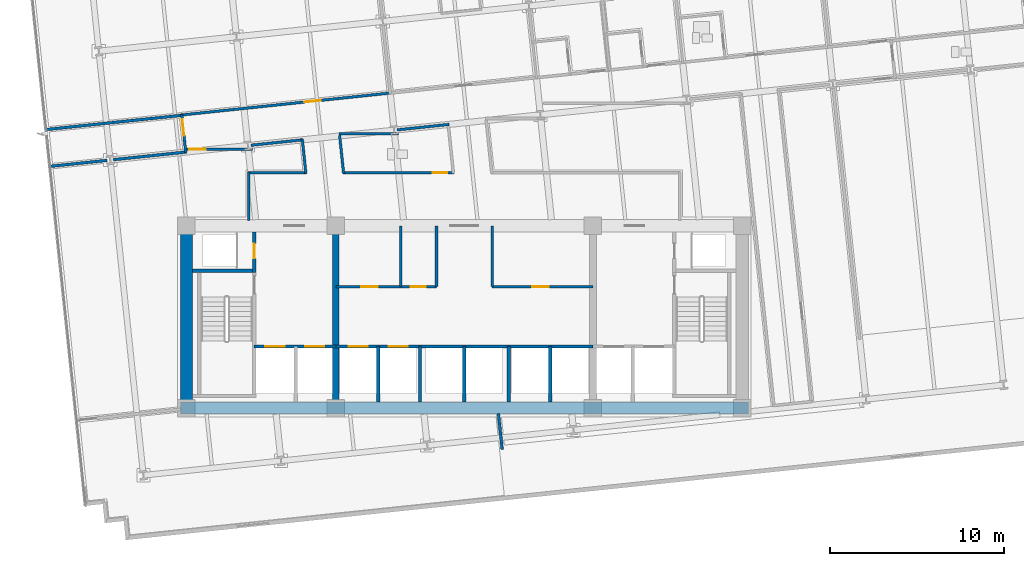
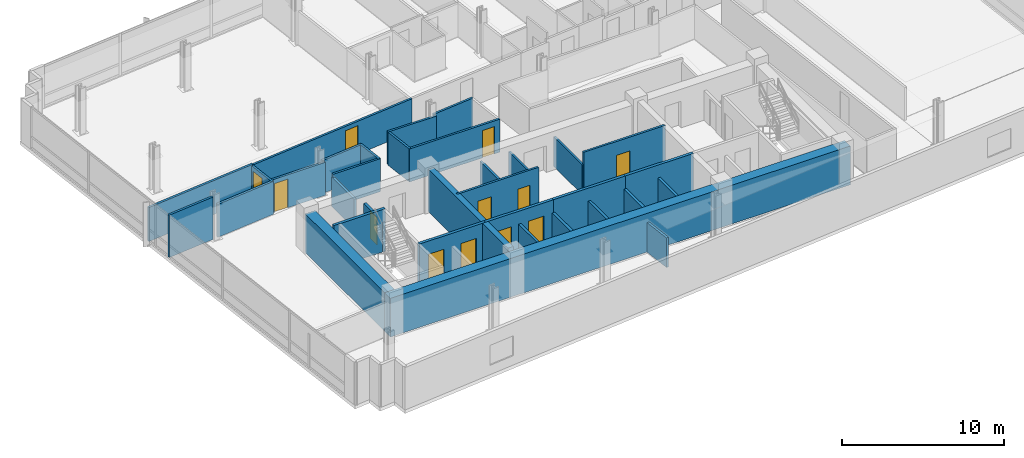
# One storey, part 10 of 17: 34 walls, 12 doors, 12 openings.
"""IFC4 building model written with IfcOpenShell, lengths in metres."""

from ifc_helpers import new_model, si_unit, direction, frame, frame_2d, origin, place, context, subcontext, project, spatial, rectangle, extrude, material, layer, layer_set, type_object, element, fill, save


model = new_model("IFC4")

# Units and contexts
model_context = context("Model", 3, precision=1e-05, world=origin(), true_north=direction((0.0, 1.0)))
body_context = subcontext(model_context, "Body", "Model", "MODEL_VIEW")
ifc_project = project(units=[si_unit("LENGTHUNIT", "METRE"), si_unit("AREAUNIT", "SQUARE_METRE"), si_unit("VOLUMEUNIT", "CUBIC_METRE"), si_unit("PLANEANGLEUNIT", "RADIAN"), si_unit("MASSUNIT", "GRAM", prefix="KILO")], contexts=[model_context])

# Site, building, storey
site_placement = place(None, origin())
site = spatial("IfcSite", under=ifc_project, at=site_placement, CompositionType="ELEMENT")
building_placement = place(site_placement, origin())
building = spatial("IfcBuilding", under=site, at=building_placement, Name="Solmavex Isthmus Hotel", CompositionType="ELEMENT")
storey_placement = place(building_placement, frame((0.0, 0.0, 93.89990234375)))
storey = spatial("IfcBuildingStorey", under=building, at=storey_placement, Name="L25", CompositionType="ELEMENT", Elevation=93.89990234375)

# Walls
ifc_material_1 = material(Name="Gypsum plasterboard lining", Category="gypsum")
ifc_layer_1 = layer(ifc_material_1, 0.159912109375)
ifc_layer_set_1 = layer_set([ifc_layer_1], Name="Gypsum plasterboard lining")
wall_type_1 = type_object("IfcWallType", Name="IW-COMP-160", PredefinedType="PARTITIONING", material=ifc_layer_set_1)
wall_1_placement = place(storey_placement, frame((-16.221923828125, 3.86474609375, 0.0), z_axis=(0.0, 0.0, 1.0), x_axis=(-0.994522987852, -0.104518068455, 0.0)))
element("IfcWall", 1, at=wall_1_placement, inside=storey, type_object=wall_type_1, Name="Interior Partition Wall W-L25-P037", PredefinedType="PARTITIONING", context=body_context, shape_type="SweptSolid", body=[
    extrude(rectangle(XDim=7.927978515625, YDim=0.159912109375, at=frame_2d((3.9638671875, 0.0))), origin(), (0.0, 0.0, 1.0), 2.55322265625),
])
wall_2_placement = place(storey_placement, frame((-20.558349609375, 1.267333984375, 0.0), z_axis=(0.0, 0.0, 1.0), x_axis=(-0.99451904707, -0.10455555946, 0.0)))
element("IfcWall", 2, at=wall_2_placement, inside=storey, type_object=wall_type_1, Name="Interior Partition Wall W-L25-P068", PredefinedType="PARTITIONING", context=body_context, shape_type="SweptSolid", body=[
    extrude(rectangle(XDim=3.34375, YDim=0.159912109375, at=frame_2d((1.671875, 0.0))), origin(), (0.0, 0.0, 1.0), 3.190185546875),
])
wall_3_placement = place(storey_placement, frame((-15.9892578125, 1.74755859375, 0.0), z_axis=(0.0, 0.0, 1.0), x_axis=(-0.994523098997, -0.104517010867, 0.0)))
element("IfcWall", 3, at=wall_3_placement, inside=storey, type_object=wall_type_1, Name="Interior Partition Wall W-L25-P069", PredefinedType="PARTITIONING", context=body_context, shape_type="SweptSolid", body=[
    extrude(rectangle(XDim=4.241943359375, YDim=0.159912109375, at=frame_2d((2.12109375, 0.0))), origin(), (0.0, 0.0, 1.0), 2.4794921875),
])
wall_4_placement = place(storey_placement, frame((1.965087890625, -13.310302734375, 0.0), z_axis=(0.0, 0.0, 1.0), x_axis=(0.104464822166, -0.994528582259, 0.0)))
element("IfcWall", 4, at=wall_4_placement, inside=storey, type_object=wall_type_1, Name="Interior Partition Wall W-L25-P071", PredefinedType="PARTITIONING", context=body_context, shape_type="SweptSolid", body=[
    extrude(rectangle(XDim=2.080078125, YDim=0.159912109375, at=frame_2d((1.0400390625, 0.0))), origin(), (0.0, 0.0, 1.0), 2.22509765625),
])

# Wall, openings, doors
ifc_layer_2 = layer(ifc_material_1, 0.14990234375)
ifc_layer_set_2 = layer_set([ifc_layer_2], Name="Gypsum plasterboard lining")
wall_type_2 = type_object("IfcWallType", Name="IW-CORR-150", PredefinedType="PARTITIONING", material=ifc_layer_set_2)
wall_5_placement = place(storey_placement, frame((-7.39990234375, -6.0, 0.0), z_axis=(0.0, 0.0, 1.0), x_axis=(1.0, 0.0, 0.0)))
wall_5 = element("IfcWall", 5, at=wall_5_placement, inside=storey, type_object=wall_type_2, Name="Interior Partition Wall W-L25-BOH-WS", PredefinedType="PARTITIONING", context=body_context, shape_type="SweptSolid", body=[
    extrude(rectangle(XDim=5.7998046875, YDim=0.14990234375, at=frame_2d((2.89990234375, 0.0))), origin(), (0.0, 0.0, 1.0), 3.190185546875),
])
opening_1_placement = place(wall_5_placement, frame((1.47509765625, 0.0, 0.0)))
opening_1 = element("IfcOpeningElement", 6, at=opening_1_placement, cuts=wall_5, Name="Opening ID-C095", PredefinedType="OPENING", context=body_context, shape_type="SweptSolid", body=[
    extrude(rectangle(XDim=0.949951171875, YDim=2.14990234375, at=frame_2d((0.47509765625, 1.074951171875))), frame((0.0, 0.0849609375, 0.0), z_axis=(0.0, -1.0, 0.0), x_axis=(1.0, 0.0, 0.0)), (0.0, 0.0, 1.0), 0.169921875),
])
opening_2_placement = place(wall_5_placement, frame((4.324951171875, 0.0, 0.0)))
opening_2 = element("IfcOpeningElement", 7, at=opening_2_placement, cuts=wall_5, Name="Opening ID-R085", PredefinedType="OPENING", context=body_context, shape_type="SweptSolid", body=[
    extrude(rectangle(XDim=0.85009765625, YDim=2.050048828125, at=frame_2d((0.425048828125, 1.02490234375))), frame((0.0, 0.0849609375, 0.0), z_axis=(0.0, -1.0, 0.0), x_axis=(1.0, 0.0, 0.0)), (0.0, 0.0, 1.0), 0.169921875),
])
ifc_material_2 = material(Name="Steel ASTM A500 Grade C", Category="steel")
door_type_1 = type_object("IfcDoorType", Name="IDR-FD60-0850", OperationType="NOTDEFINED", PredefinedType="DOOR", material=ifc_material_2)
door_1_placement = place(opening_2_placement, frame((0.85009765625, 0.0, 0.0), z_axis=(0.0, 0.0, 1.0), x_axis=(-1.0, 0.0, 0.0)))
door_1 = element("IfcDoor", 8, at=door_1_placement, inside=storey, type_object=door_type_1, Name="Cleaner Closet Door L25", OperationType="SINGLE_SWING_RIGHT", OverallHeight=2.050048828125, OverallWidth=0.85009765625, PredefinedType="DOOR", context=body_context, shape_type="SweptSolid", body=[
    extrude(rectangle(XDim=0.85009765625, YDim=2.050048828125, at=frame_2d((0.425048828125, 1.02490234375))), frame((0.0, 0.02490234375, 0.0), z_axis=(0.0, -1.0, 0.0), x_axis=(1.0, 0.0, 0.0)), (0.0, 0.0, 1.0), 0.050048828125),
])
fill(opening_2, door_1)
ifc_material_3 = material(Name="Hardwood timber", Category="wood")
door_type_2 = type_object("IfcDoorType", Name="IDR-FD60-0950", OperationType="NOTDEFINED", PredefinedType="DOOR", material=ifc_material_3)
door_2_placement = place(opening_1_placement, frame((0.949951171875, 0.0, 0.0), z_axis=(0.0, 0.0, 1.0), x_axis=(-1.0, 0.0, 0.0)))
door_2 = element("IfcDoor", 9, at=door_2_placement, inside=storey, type_object=door_type_2, Name="Housekeeping Store Door L25", OperationType="SINGLE_SWING_LEFT", OverallHeight=2.14990234375, OverallWidth=0.949951171875, PredefinedType="DOOR", context=body_context, shape_type="SweptSolid", body=[
    extrude(rectangle(XDim=0.949951171875, YDim=2.14990234375, at=frame_2d((0.47509765625, 1.074951171875))), frame((0.0, 0.02490234375, 0.0), z_axis=(0.0, -1.0, 0.0), x_axis=(1.0, 0.0, 0.0)), (0.0, 0.0, 1.0), 0.050048828125),
])
fill(opening_1, door_2)

# Wall
wall_6_placement = place(storey_placement, frame((-1.60009765625, -6.0, 0.0), z_axis=(0.0, 0.0, 1.0), x_axis=(0.0, 1.0, 0.0)))
element("IfcWall", 10, at=wall_6_placement, inside=storey, type_object=wall_type_2, Name="Interior Partition Wall W-L25-BOH-WE", PredefinedType="PARTITIONING", context=body_context, shape_type="SweptSolid", body=[
    extrude(rectangle(XDim=3.5, YDim=0.14990234375, at=frame_2d((1.75, 0.0))), origin(), (0.0, 0.0, 1.0), 2.22509765625),
])

# Wall, opening, door
wall_7_placement = place(storey_placement, frame((1.60009765625, -6.0, 0.0), z_axis=(0.0, 0.0, 1.0), x_axis=(1.0, 0.0, 0.0)))
wall_7 = element("IfcWall", 11, at=wall_7_placement, inside=storey, type_object=wall_type_2, Name="Interior Partition Wall W-L25-BOH-ES", PredefinedType="PARTITIONING", context=body_context, shape_type="SweptSolid", body=[
    extrude(rectangle(XDim=5.7998046875, YDim=0.14990234375, at=frame_2d((2.89990234375, 0.0))), origin(), (0.0, 0.0, 1.0), 3.190185546875),
])
opening_3_placement = place(wall_7_placement, frame((2.324951171875, 0.0, 0.0)))
opening_3 = element("IfcOpeningElement", 12, at=opening_3_placement, cuts=wall_7, Name="Opening ID-C095", PredefinedType="OPENING", context=body_context, shape_type="SweptSolid", body=[
    extrude(rectangle(XDim=0.949951171875, YDim=2.14990234375, at=frame_2d((0.47509765625, 1.074951171875))), frame((0.0, 0.0849609375, 0.0), z_axis=(0.0, -1.0, 0.0), x_axis=(1.0, 0.0, 0.0)), (0.0, 0.0, 1.0), 0.169921875),
])
door_3_placement = place(opening_3_placement, frame((0.949951171875, 0.0, 0.0), z_axis=(0.0, 0.0, 1.0), x_axis=(-1.0, 0.0, 0.0)))
door_3 = element("IfcDoor", 13, at=door_3_placement, inside=storey, type_object=door_type_2, Name="Butler Pantry Door L25", OperationType="SINGLE_SWING_RIGHT", OverallHeight=2.14990234375, OverallWidth=0.949951171875, PredefinedType="DOOR", context=body_context, shape_type="SweptSolid", body=[
    extrude(rectangle(XDim=0.949951171875, YDim=2.14990234375, at=frame_2d((0.47509765625, 1.074951171875))), frame((0.0, 0.02490234375, 0.0), z_axis=(0.0, -1.0, 0.0), x_axis=(1.0, 0.0, 0.0)), (0.0, 0.0, 1.0), 0.050048828125),
])
fill(opening_3, door_3)

# Wall
wall_8_placement = place(storey_placement, frame((1.60009765625, -6.0, 0.0), z_axis=(0.0, 0.0, 1.0), x_axis=(0.0, 1.0, 0.0)))
element("IfcWall", 14, at=wall_8_placement, inside=storey, type_object=wall_type_2, Name="Interior Partition Wall W-L25-BOH-EW", PredefinedType="PARTITIONING", context=body_context, shape_type="SweptSolid", body=[
    extrude(rectangle(XDim=3.5, YDim=0.14990234375, at=frame_2d((1.75, 0.0))), origin(), (0.0, 0.0, 1.0), 2.22509765625),
])

# Wall, opening, door
wall_9_placement = place(storey_placement, frame((-16.303466796875, 3.87646484375, 0.0), z_axis=(0.0, 0.0, 1.0), x_axis=(0.994522343224, 0.104524202122, 0.0)))
wall_9 = element("IfcWall", 15, at=wall_9_placement, inside=storey, type_object=wall_type_2, Name="Interior Partition Wall W-L25-P001", PredefinedType="PARTITIONING", context=body_context, shape_type="SweptSolid", body=[
    extrude(rectangle(XDim=12.187744140625, YDim=0.14990234375, at=frame_2d((6.09375, 0.0))), origin(), (0.0, 0.0, 1.0), 2.4794921875),
])
opening_4_placement = place(wall_9_placement, frame((7.14453125, 0.0, 0.0)))
opening_4 = element("IfcOpeningElement", 16, at=opening_4_placement, cuts=wall_9, Name="Opening ID-C095", PredefinedType="OPENING", context=body_context, shape_type="SweptSolid", body=[
    extrude(rectangle(XDim=0.949951171875, YDim=2.14990234375, at=frame_2d((0.47509765625, 1.074951171875))), frame((0.0, 0.0849609375, 0.0), z_axis=(0.0, -1.0, 0.0), x_axis=(1.0, 0.0, 0.0)), (0.0, 0.0, 1.0), 0.169921875),
])
door_4_placement = place(opening_4_placement, origin())
door_4 = element("IfcDoor", 17, at=door_4_placement, inside=storey, type_object=door_type_2, Name="Corporate Briefing Office Door L25-01", OperationType="SINGLE_SWING_LEFT", OverallHeight=2.14990234375, OverallWidth=0.949951171875, PredefinedType="DOOR", context=body_context, shape_type="SweptSolid", body=[
    extrude(rectangle(XDim=0.949951171875, YDim=2.14990234375, at=frame_2d((0.47509765625, 1.074951171875))), frame((0.0, 0.02490234375, 0.0), z_axis=(0.0, -1.0, 0.0), x_axis=(1.0, 0.0, 0.0)), (0.0, 0.0, 1.0), 0.050048828125),
])
fill(opening_4, door_4)

# Walls
wall_10_placement = place(storey_placement, frame((-3.7841796875, 2.78857421875, 0.0), z_axis=(0.0, 0.0, 1.0), x_axis=(-1.0, 0.0, 0.0)))
element("IfcWall", 18, at=wall_10_placement, inside=storey, type_object=wall_type_2, Name="Interior Partition Wall W-L25-P010", PredefinedType="PARTITIONING", context=body_context, shape_type="SweptSolid", body=[
    extrude(rectangle(XDim=3.430419921875, YDim=0.14990234375, at=frame_2d((1.71533203125, 0.0))), origin(), (0.0, 0.0, 1.0), 2.4794921875),
])
wall_11_placement = place(storey_placement, frame((-7.178955078125, 2.7138671875, 0.0), z_axis=(0.0, 0.0, 1.0), x_axis=(0.104455355485, -0.994529576589, 0.0)))
element("IfcWall", 19, at=wall_11_placement, inside=storey, type_object=wall_type_2, Name="Interior Partition Wall W-L25-P011", PredefinedType="PARTITIONING", context=body_context, shape_type="SweptSolid", body=[
    extrude(rectangle(XDim=2.2158203125, YDim=0.14990234375, at=frame_2d((1.10791015625, 0.0))), origin(), (0.0, 0.0, 1.0), 2.4794921875),
])

# Wall, opening, door
wall_12_placement = place(storey_placement, frame((-6.99169921875, 0.550048828125, 0.0), z_axis=(0.0, 0.0, 1.0), x_axis=(1.0, 0.0, 0.0)))
wall_12 = element("IfcWall", 20, at=wall_12_placement, inside=storey, type_object=wall_type_2, Name="Interior Partition Wall W-L25-P012", PredefinedType="PARTITIONING", context=body_context, shape_type="SweptSolid", body=[
    extrude(rectangle(XDim=6.400634765625, YDim=0.14990234375, at=frame_2d((3.2001953125, 0.0))), origin(), (0.0, 0.0, 1.0), 2.4794921875),
])
opening_5_placement = place(wall_12_placement, frame((5.16455078125, 0.0, 0.0)))
opening_5 = element("IfcOpeningElement", 21, at=opening_5_placement, cuts=wall_12, Name="Opening ID-R085", PredefinedType="OPENING", context=body_context, shape_type="SweptSolid", body=[
    extrude(rectangle(XDim=0.85009765625, YDim=2.050048828125, at=frame_2d((0.425048828125, 1.02490234375))), frame((0.0, 0.0849609375, 0.0), z_axis=(0.0, -1.0, 0.0), x_axis=(1.0, 0.0, 0.0)), (0.0, 0.0, 1.0), 0.169921875),
])
door_5_placement = place(opening_5_placement, frame((0.85009765625, 0.0, 0.0), z_axis=(0.0, 0.0, 1.0), x_axis=(-1.0, 0.0, 0.0)))
door_5 = element("IfcDoor", 22, at=door_5_placement, inside=storey, type_object=door_type_1, Name="Accessible Public Restroom WC Door L25-13", OperationType="SINGLE_SWING_LEFT", OverallHeight=2.050048828125, OverallWidth=0.85009765625, PredefinedType="DOOR", context=body_context, shape_type="SweptSolid", body=[
    extrude(rectangle(XDim=0.85009765625, YDim=2.050048828125, at=frame_2d((0.425048828125, 1.02490234375))), frame((0.0, 0.02490234375, 0.0), z_axis=(0.0, -1.0, 0.0), x_axis=(1.0, 0.0, 0.0)), (0.0, 0.0, 1.0), 0.050048828125),
])
fill(opening_5, door_5)

# Wall
wall_13_placement = place(storey_placement, frame((-0.883544921875, 3.335205078125, 0.0), z_axis=(0.0, 0.0, 1.0), x_axis=(-0.994522848096, -0.104519398272, 0.0)))
element("IfcWall", 23, at=wall_13_placement, inside=storey, type_object=wall_type_2, Name="Interior Partition Wall W-L25-P014", PredefinedType="PARTITIONING", context=body_context, shape_type="SweptSolid", body=[
    extrude(rectangle(XDim=2.996826171875, YDim=0.14990234375, at=frame_2d((1.49853515625, 0.0))), origin(), (0.0, 0.0, 1.0), 2.4794921875),
])

# Wall, opening, door
wall_14_placement = place(storey_placement, frame((-16.034912109375, 1.70263671875, 0.0), z_axis=(0.0, 0.0, 1.0), x_axis=(-0.104512255544, 0.994523598735, 0.0)))
wall_14 = element("IfcWall", 24, at=wall_14_placement, inside=storey, type_object=wall_type_2, Name="Interior Partition Wall W-L25-P016", PredefinedType="PARTITIONING", context=body_context, shape_type="SweptSolid", body=[
    extrude(rectangle(XDim=2.2099609375, YDim=0.14990234375, at=frame_2d((1.10498046875, 0.0))), origin(), (0.0, 0.0, 1.0), 2.4794921875),
])
opening_6_placement = place(wall_14_placement, frame((0.98779296875, 0.0, 0.0)))
opening_6 = element("IfcOpeningElement", 25, at=opening_6_placement, cuts=wall_14, Name="Opening ID-C095", PredefinedType="OPENING", context=body_context, shape_type="SweptSolid", body=[
    extrude(rectangle(XDim=0.949951171875, YDim=2.14990234375, at=frame_2d((0.47509765625, 1.074951171875))), frame((0.0, 0.0849609375, 0.0), z_axis=(0.0, -1.0, 0.0), x_axis=(1.0, 0.0, 0.0)), (0.0, 0.0, 1.0), 0.169921875),
])
door_6_placement = place(opening_6_placement, origin())
door_6 = element("IfcDoor", 26, at=door_6_placement, inside=storey, type_object=door_type_2, Name="Catering Servery Kitchen Door L25-15", OperationType="SINGLE_SWING_LEFT", OverallHeight=2.14990234375, OverallWidth=0.949951171875, PredefinedType="DOOR", context=body_context, shape_type="SweptSolid", body=[
    extrude(rectangle(XDim=0.949951171875, YDim=2.14990234375, at=frame_2d((0.47509765625, 1.074951171875))), frame((0.0, 0.02490234375, 0.0), z_axis=(0.0, -1.0, 0.0), x_axis=(1.0, 0.0, 0.0)), (0.0, 0.0, 1.0), 0.050048828125),
])
fill(opening_6, door_6)

# Walls
wall_15_placement = place(storey_placement, frame((-12.39990234375, -2.18994140625, 0.0), z_axis=(0.0, 0.0, 1.0), x_axis=(0.0, 1.0, 0.0)))
element("IfcWall", 27, at=wall_15_placement, inside=storey, type_object=wall_type_2, Name="Interior Partition Wall W-L25-P017", PredefinedType="PARTITIONING", context=body_context, shape_type="SweptSolid", body=[
    extrude(rectangle(XDim=2.780029296875, YDim=0.14990234375, at=frame_2d((1.39013671875, 0.0))), origin(), (0.0, 0.0, 1.0), 2.22509765625),
])
wall_16_placement = place(storey_placement, frame((-12.43994140625, 0.550048828125, 0.0), z_axis=(0.0, 0.0, 1.0), x_axis=(1.0, 0.0, 0.0)))
element("IfcWall", 28, at=wall_16_placement, inside=storey, type_object=wall_type_2, Name="Interior Partition Wall W-L25-P018", PredefinedType="PARTITIONING", context=body_context, shape_type="SweptSolid", body=[
    extrude(rectangle(XDim=3.3564453125, YDim=0.14990234375, at=frame_2d((1.67822265625, 0.0))), origin(), (0.0, 0.0, 1.0), 2.4794921875),
])
wall_17_placement = place(storey_placement, frame((-9.119384765625, 0.51025390625, 0.0), z_axis=(0.0, 0.0, 1.0), x_axis=(-0.104473893665, 0.994527629351, 0.0)))
element("IfcWall", 29, at=wall_17_placement, inside=storey, type_object=wall_type_2, Name="Interior Partition Wall W-L25-P019", PredefinedType="PARTITIONING", context=body_context, shape_type="SweptSolid", body=[
    extrude(rectangle(XDim=1.98876953125, YDim=0.14990234375, at=frame_2d((0.994384765625, 0.0))), origin(), (0.0, 0.0, 1.0), 2.4794921875),
])
wall_18_placement = place(storey_placement, frame((-9.283203125, 2.452392578125, 0.0), z_axis=(0.0, 0.0, 1.0), x_axis=(-0.994518748051, -0.104558403652, 0.0)))
element("IfcWall", 30, at=wall_18_placement, inside=storey, type_object=wall_type_2, Name="Interior Partition Wall W-L25-P020", PredefinedType="PARTITIONING", context=body_context, shape_type="SweptSolid", body=[
    extrude(rectangle(XDim=3.016845703125, YDim=0.14990234375, at=frame_2d((1.50830078125, 0.0))), origin(), (0.0, 0.0, 1.0), 2.4794921875),
])

# Wall, opening, door
wall_19_placement = place(storey_placement, frame((-12.203857421875, 1.903564453125, 0.0), z_axis=(0.0, 0.0, 1.0), x_axis=(-1.0, 0.0, 0.0)))
wall_19 = element("IfcWall", 31, at=wall_19_placement, inside=storey, type_object=wall_type_2, Name="Interior Partition Wall W-L25-P021", PredefinedType="PARTITIONING", context=body_context, shape_type="SweptSolid", body=[
    extrude(rectangle(XDim=3.875, YDim=0.14990234375, at=frame_2d((1.9375, 0.0))), origin(), (0.0, 0.0, 1.0), 2.4794921875),
])
opening_7_placement = place(wall_19_placement, frame((2.6669921875, 0.0, 0.0)))
opening_7 = element("IfcOpeningElement", 32, at=opening_7_placement, cuts=wall_19, Name="Opening ID-C095", PredefinedType="OPENING", context=body_context, shape_type="SweptSolid", body=[
    extrude(rectangle(XDim=0.949951171875, YDim=2.14990234375, at=frame_2d((0.47509765625, 1.074951171875))), frame((0.0, 0.0849609375, 0.0), z_axis=(0.0, -1.0, 0.0), x_axis=(1.0, 0.0, 0.0)), (0.0, 0.0, 1.0), 0.169921875),
])
door_7_placement = place(opening_7_placement, origin())
door_7 = element("IfcDoor", 33, at=door_7_placement, inside=storey, type_object=door_type_2, Name="VIP Briefing Office Door L25-16", OperationType="SINGLE_SWING_RIGHT", OverallHeight=2.14990234375, OverallWidth=0.949951171875, PredefinedType="DOOR", context=body_context, shape_type="SweptSolid", body=[
    extrude(rectangle(XDim=0.949951171875, YDim=2.14990234375, at=frame_2d((0.47509765625, 1.074951171875))), frame((0.0, 0.02490234375, 0.0), z_axis=(0.0, -1.0, 0.0), x_axis=(1.0, 0.0, 0.0)), (0.0, 0.0, 1.0), 0.050048828125),
])
fill(opening_7, door_7)

# Walls
ifc_layer_3 = layer(ifc_material_1, 0.1201171875)
ifc_layer_set_3 = layer_set([ifc_layer_3], Name="Gypsum plasterboard lining")
wall_type_3 = type_object("IfcWallType", Name="IW-PART-120", PredefinedType="PARTITIONING", material=ifc_layer_set_3)
wall_20_placement = place(storey_placement, frame((-3.64990234375, -6.0, 0.0), z_axis=(0.0, 0.0, 1.0), x_axis=(0.0, 1.0, 0.0)))
element("IfcWall", 34, at=wall_20_placement, inside=storey, type_object=wall_type_3, Name="Interior Partition Wall W-L25-BOH-WM1", PredefinedType="PARTITIONING", context=body_context, shape_type="SweptSolid", body=[
    extrude(rectangle(XDim=3.5, YDim=0.14990234375, at=frame_2d((1.75, 0.0))), origin(), (0.0, 0.0, 1.0), 2.22509765625),
])
ifc_material_4 = material(Name="Concrete C40/50", Category="concrete")
ifc_layer_4 = layer(ifc_material_4, 0.179931640625)
ifc_layer_set_4 = layer_set([ifc_layer_4], Name="Concrete C40/50")
wall_type_4 = type_object("IfcWallType", Name="IW-SHAFT-180", PredefinedType="PARTITIONING", material=ifc_layer_set_4)
for number, where, z_axis, x_axis, name in (
    (35, (-4.949951171875, -12.64990234375, 0.0), (0.0, 0.0, 1.0), (0.0, 1.0, 0.0), "Interior Partition Wall W-L25-SH-PLL-M"),
    (36, (0.0, -12.64990234375, 0.0), (0.0, 0.0, 1.0), (0.0, 1.0, 0.0), "Interior Partition Wall W-L25-SH-PLM-M"),
    (37, (4.949951171875, -12.64990234375, 0.0), (0.0, 0.0, 1.0), (0.0, 1.0, 0.0), "Interior Partition Wall W-L25-SH-PLH-M"),
):
    element("IfcWall", number, at=place(storey_placement, frame(where, z_axis=z_axis, x_axis=x_axis)), inside=storey, type_object=wall_type_4, Name=name, PredefinedType="PARTITIONING", context=body_context, shape_type="SweptSolid", body=[
        extrude(rectangle(XDim=3.199951171875, YDim=0.179931640625, at=frame_2d((1.60009765625, 0.0))), origin(), (0.0, 0.0, 1.0), 2.22509765625),
    ])

# Wall, opening, door
ifc_layer_5 = layer(ifc_material_4, 0.199951171875)
ifc_layer_set_5 = layer_set([ifc_layer_5], Name="Concrete C40/50")
wall_type_5 = type_object("IfcWallType", Name="IW-SHAFT-200", PredefinedType="PARTITIONING", material=ifc_layer_set_5)
wall_21_placement = place(storey_placement, frame((-12.10009765625, -5.199951171875, 0.0), z_axis=(0.0, 0.0, 1.0), x_axis=(0.0, 1.0, 0.0)))
wall_21 = element("IfcWall", 38, at=wall_21_placement, inside=storey, type_object=wall_type_5, Name="Interior Partition Wall W-L25-RSW-E", PredefinedType="PARTITIONING", context=body_context, shape_type="SweptSolid", body=[
    extrude(rectangle(XDim=2.349853515625, YDim=0.199951171875, at=frame_2d((1.1748046875, 0.0))), origin(), (0.0, 0.0, 1.0), 2.22509765625),
])
opening_8_placement = place(wall_21_placement, frame((0.824951171875, 0.0, 0.0)))
opening_8 = element("IfcOpeningElement", 39, at=opening_8_placement, cuts=wall_21, Name="Opening ID-R085", PredefinedType="OPENING", context=body_context, shape_type="SweptSolid", body=[
    extrude(rectangle(XDim=0.85009765625, YDim=2.050048828125, at=frame_2d((0.425048828125, 1.02490234375))), frame((0.0, 0.10986328125, 0.0), z_axis=(0.0, -1.0, 0.0), x_axis=(1.0, 0.0, 0.0)), (0.0, 0.0, 1.0), 0.219970703125),
])
door_8_placement = place(opening_8_placement, origin())
door_8 = element("IfcDoor", 40, at=door_8_placement, inside=storey, type_object=door_type_1, Name="Electrical Riser Door L25", OperationType="SINGLE_SWING_RIGHT", OverallHeight=2.050048828125, OverallWidth=0.85009765625, PredefinedType="DOOR", context=body_context, shape_type="SweptSolid", body=[
    extrude(rectangle(XDim=0.85009765625, YDim=2.050048828125, at=frame_2d((0.425048828125, 1.02490234375))), frame((0.0, 0.02490234375, 0.0), z_axis=(0.0, -1.0, 0.0), x_axis=(1.0, 0.0, 0.0)), (0.0, 0.0, 1.0), 0.050048828125),
])
fill(opening_8, door_8)

# Wall, openings, doors
wall_22_placement = place(storey_placement, frame((-12.10009765625, -9.449951171875, 0.0), z_axis=(0.0, 0.0, 1.0), x_axis=(1.0, 0.0, 0.0)))
wall_22 = element("IfcWall", 41, at=wall_22_placement, inside=storey, type_object=wall_type_5, Name="Interior Partition Wall W-L25-FFLW-S", PredefinedType="PARTITIONING", context=body_context, shape_type="SweptSolid", body=[
    extrude(rectangle(XDim=4.7001953125, YDim=0.199951171875, at=frame_2d((2.35009765625, 0.0))), origin(), (0.0, 0.0, 1.0), 3.190185546875),
])
opening_9_placement = place(wall_22_placement, frame((0.64990234375, 0.0, 0.0)))
opening_9 = element("IfcOpeningElement", 42, at=opening_9_placement, cuts=wall_22, Name="Opening LD-FF", PredefinedType="OPENING", context=body_context, shape_type="SweptSolid", body=[
    extrude(rectangle(XDim=1.10009765625, YDim=2.199951171875, at=frame_2d((0.550048828125, 1.10009765625))), frame((0.0, 0.10986328125, 0.0), z_axis=(0.0, -1.0, 0.0), x_axis=(1.0, 0.0, 0.0)), (0.0, 0.0, 1.0), 0.219970703125),
])
opening_10_placement = place(wall_22_placement, frame((2.949951171875, 0.0, 0.0)))
opening_10 = element("IfcOpeningElement", 43, at=opening_10_placement, cuts=wall_22, Name="Opening LD-SV", PredefinedType="OPENING", context=body_context, shape_type="SweptSolid", body=[
    extrude(rectangle(XDim=1.10009765625, YDim=2.199951171875, at=frame_2d((0.550048828125, 1.10009765625))), frame((0.0, 0.10986328125, 0.0), z_axis=(0.0, -1.0, 0.0), x_axis=(1.0, 0.0, 0.0)), (0.0, 0.0, 1.0), 0.219970703125),
])
ifc_material_5 = material(Name="Stainless steel 316", Category="steel")
door_type_3 = type_object("IfcDoorType", Name="LDR-FF-1100", OperationType="NOTDEFINED", PredefinedType="DOOR", material=ifc_material_5)
door_9_placement = place(opening_9_placement, origin())
door_9 = element("IfcDoor", 44, at=door_9_placement, inside=storey, type_object=door_type_3, Name="Lift Landing Door FFL-1 L25", OperationType="SLIDING_TO_LEFT", OverallHeight=2.199951171875, OverallWidth=1.10009765625, PredefinedType="DOOR", context=body_context, shape_type="SweptSolid", body=[
    extrude(rectangle(XDim=1.10009765625, YDim=2.199951171875, at=frame_2d((0.550048828125, 1.10009765625))), frame((0.0, 0.02490234375, 0.0), z_axis=(0.0, -1.0, 0.0), x_axis=(1.0, 0.0, 0.0)), (0.0, 0.0, 1.0), 0.050048828125),
])
fill(opening_9, door_9)
door_type_4 = type_object("IfcDoorType", Name="LDR-SV-1100", OperationType="NOTDEFINED", PredefinedType="DOOR", material=ifc_material_5)
door_10_placement = place(opening_10_placement, origin())
door_10 = element("IfcDoor", 45, at=door_10_placement, inside=storey, type_object=door_type_4, Name="Lift Landing Door SVL-1 L25", OperationType="SLIDING_TO_RIGHT", OverallHeight=2.199951171875, OverallWidth=1.10009765625, PredefinedType="DOOR", context=body_context, shape_type="SweptSolid", body=[
    extrude(rectangle(XDim=1.10009765625, YDim=2.199951171875, at=frame_2d((0.550048828125, 1.10009765625))), frame((0.0, 0.02490234375, 0.0), z_axis=(0.0, -1.0, 0.0), x_axis=(1.0, 0.0, 0.0)), (0.0, 0.0, 1.0), 0.050048828125),
])
fill(opening_10, door_10)

wall_23_placement = place(storey_placement, frame((-7.39990234375, -9.449951171875, 0.0), z_axis=(0.0, 0.0, 1.0), x_axis=(1.0, 0.0, 0.0)))
wall_23 = element("IfcWall", 46, at=wall_23_placement, inside=storey, type_object=wall_type_5, Name="Interior Partition Wall W-L25-SH-PLL", PredefinedType="PARTITIONING", context=body_context, shape_type="SweptSolid", body=[
    extrude(rectangle(XDim=4.849853515625, YDim=0.199951171875, at=frame_2d((2.4248046875, 0.0))), origin(), (0.0, 0.0, 1.0), 3.190185546875),
])
opening_11_placement = place(wall_23_placement, frame((0.75, 0.0, 0.0)))
opening_11 = element("IfcOpeningElement", 47, at=opening_11_placement, cuts=wall_23, Name="Opening LD-PL", PredefinedType="OPENING", context=body_context, shape_type="SweptSolid", body=[
    extrude(rectangle(XDim=1.10009765625, YDim=2.199951171875, at=frame_2d((0.550048828125, 1.10009765625))), frame((0.0, 0.10986328125, 0.0), z_axis=(0.0, -1.0, 0.0), x_axis=(1.0, 0.0, 0.0)), (0.0, 0.0, 1.0), 0.219970703125),
])
opening_12_placement = place(wall_23_placement, frame((3.050048828125, 0.0, 0.0)))
opening_12 = element("IfcOpeningElement", 48, at=opening_12_placement, cuts=wall_23, Name="Opening LD-PL", PredefinedType="OPENING", context=body_context, shape_type="SweptSolid", body=[
    extrude(rectangle(XDim=1.10009765625, YDim=2.199951171875, at=frame_2d((0.550048828125, 1.10009765625))), frame((0.0, 0.10986328125, 0.0), z_axis=(0.0, -1.0, 0.0), x_axis=(1.0, 0.0, 0.0)), (0.0, 0.0, 1.0), 0.219970703125),
])
door_type_5 = type_object("IfcDoorType", Name="LDR-PL-1100", OperationType="NOTDEFINED", PredefinedType="DOOR", material=ifc_material_5)
door_11_placement = place(opening_11_placement, origin())
door_11 = element("IfcDoor", 49, at=door_11_placement, inside=storey, type_object=door_type_5, Name="Lift Landing Door PLL1 L25", OperationType="SLIDING_TO_LEFT", OverallHeight=2.199951171875, OverallWidth=1.10009765625, PredefinedType="DOOR", context=body_context, shape_type="SweptSolid", body=[
    extrude(rectangle(XDim=1.10009765625, YDim=2.199951171875, at=frame_2d((0.550048828125, 1.10009765625))), frame((0.0, 0.02490234375, 0.0), z_axis=(0.0, -1.0, 0.0), x_axis=(1.0, 0.0, 0.0)), (0.0, 0.0, 1.0), 0.050048828125),
])
fill(opening_11, door_11)
door_12_placement = place(opening_12_placement, origin())
door_12 = element("IfcDoor", 50, at=door_12_placement, inside=storey, type_object=door_type_5, Name="Lift Landing Door PLL2 L25", OperationType="SLIDING_TO_LEFT", OverallHeight=2.199951171875, OverallWidth=1.10009765625, PredefinedType="DOOR", context=body_context, shape_type="SweptSolid", body=[
    extrude(rectangle(XDim=1.10009765625, YDim=2.199951171875, at=frame_2d((0.550048828125, 1.10009765625))), frame((0.0, 0.02490234375, 0.0), z_axis=(0.0, -1.0, 0.0), x_axis=(1.0, 0.0, 0.0)), (0.0, 0.0, 1.0), 0.050048828125),
])
fill(opening_12, door_12)

# Walls
wall_24_placement = place(storey_placement, frame((-2.550048828125, -12.64990234375, 0.0), z_axis=(0.0, 0.0, 1.0), x_axis=(0.0, 1.0, 0.0)))
element("IfcWall", 51, at=wall_24_placement, inside=storey, type_object=wall_type_5, Name="Interior Partition Wall W-L25-SH-PLL-E", PredefinedType="PARTITIONING", context=body_context, shape_type="SweptSolid", body=[
    extrude(rectangle(XDim=3.199951171875, YDim=0.199951171875, at=frame_2d((1.60009765625, 0.0))), origin(), (0.0, 0.0, 1.0), 2.22509765625),
])
wall_25_placement = place(storey_placement, frame((-2.550048828125, -9.449951171875, 0.0), z_axis=(0.0, 0.0, 1.0), x_axis=(1.0, 0.0, 0.0)))
element("IfcWall", 52, at=wall_25_placement, inside=storey, type_object=wall_type_5, Name="Interior Partition Wall W-L25-SH-PLM", PredefinedType="PARTITIONING", context=body_context, shape_type="SweptSolid", body=[
    extrude(rectangle(XDim=5.10009765625, YDim=0.199951171875, at=frame_2d((2.550048828125, 0.0))), origin(), (0.0, 0.0, 1.0), 3.190185546875),
])
wall_26_placement = place(storey_placement, frame((2.550048828125, -12.64990234375, 0.0), z_axis=(0.0, 0.0, 1.0), x_axis=(0.0, 1.0, 0.0)))
element("IfcWall", 53, at=wall_26_placement, inside=storey, type_object=wall_type_5, Name="Interior Partition Wall W-L25-SH-PLM-E", PredefinedType="PARTITIONING", context=body_context, shape_type="SweptSolid", body=[
    extrude(rectangle(XDim=3.199951171875, YDim=0.199951171875, at=frame_2d((1.60009765625, 0.0))), origin(), (0.0, 0.0, 1.0), 2.22509765625),
])
wall_27_placement = place(storey_placement, frame((2.550048828125, -9.449951171875, 0.0), z_axis=(0.0, 0.0, 1.0), x_axis=(1.0, 0.0, 0.0)))
element("IfcWall", 54, at=wall_27_placement, inside=storey, type_object=wall_type_5, Name="Interior Partition Wall W-L25-SH-PLH", PredefinedType="PARTITIONING", context=body_context, shape_type="SweptSolid", body=[
    extrude(rectangle(XDim=4.849853515625, YDim=0.199951171875, at=frame_2d((2.4248046875, 0.0))), origin(), (0.0, 0.0, 1.0), 3.190185546875),
])
ifc_material_6 = material(Name="Concrete C60/75", Category="concrete")
ifc_layer_6 = layer(ifc_material_6, 0.39990234375)
ifc_layer_set_6 = layer_set([ifc_layer_6], Name="Concrete C60/75")
wall_type_6 = type_object("IfcWallType", Name="WALL-CW-400M", PredefinedType="SHEAR", material=ifc_layer_set_6)
wall_28_placement = place(storey_placement, frame((-7.39990234375, -12.64990234375, 0.0), z_axis=(0.0, 0.0, 1.0), x_axis=(0.0, 1.0, 0.0)))
element("IfcWall", 55, at=wall_28_placement, inside=storey, type_object=wall_type_6, Name="Core Cross Shear Wall C1 L25", PredefinedType="SHEAR", context=body_context, shape_type="SweptSolid", body=[
    extrude(rectangle(XDim=9.7998046875, YDim=0.39990234375, at=frame_2d((4.89990234375, 0.0))), origin(), (0.0, 0.0, 1.0), 3.190185546875),
])
ifc_layer_7 = layer(ifc_material_6, 0.699951171875)
ifc_layer_set_7 = layer_set([ifc_layer_7], Name="Concrete C60/75")
wall_type_7 = type_object("IfcWallType", Name="WALL-CW-700", PredefinedType="SHEAR", material=ifc_layer_set_7)
wall_29_placement = place(storey_placement, frame((-16.35009765625, -13.0, 0.0), z_axis=(0.0, 0.0, 1.0), x_axis=(1.0, 0.0, 0.0)))
element("IfcWall", 56, at=wall_29_placement, inside=storey, type_object=wall_type_7, Name="Core Shear Wall South L25", PredefinedType="SHEAR", context=body_context, shape_type="SweptSolid", body=[
    extrude(rectangle(XDim=32.7001953125, YDim=0.699951171875, at=frame_2d((16.35009765625, 0.0))), origin(), (0.0, 0.0, 1.0), 2.91015625),
])
wall_30_placement = place(storey_placement, frame((-16.0, -12.64990234375, 0.0), z_axis=(0.0, 0.0, 1.0), x_axis=(0.0, 1.0, 0.0)))
element("IfcWall", 57, at=wall_30_placement, inside=storey, type_object=wall_type_7, Name="Core Shear Wall West L25", PredefinedType="SHEAR", context=body_context, shape_type="SweptSolid", body=[
    extrude(rectangle(XDim=9.7998046875, YDim=0.699951171875, at=frame_2d((4.89990234375, 0.0))), origin(), (0.0, 0.0, 1.0), 2.91015625),
])
ifc_layer_8 = layer(ifc_material_4, 0.199951171875)
ifc_layer_set_8 = layer_set([ifc_layer_8], Name="Concrete C40/50")
wall_type_8 = type_object("IfcWallType", Name="WALL-SW-200", PredefinedType="SOLIDWALL", material=ifc_layer_set_8)
wall_31_placement = place(storey_placement, frame((-15.64990234375, -5.10009765625, 0.0), z_axis=(0.0, 0.0, 1.0), x_axis=(1.0, 0.0, 0.0)))
element("IfcWall", 58, at=wall_31_placement, inside=storey, type_object=wall_type_8, Name="Stairwell Structural Wall SW-L25-ST1-N", PredefinedType="SOLIDWALL", context=body_context, shape_type="SweptSolid", body=[
    extrude(rectangle(XDim=3.64990234375, YDim=0.199951171875, at=frame_2d((1.824951171875, 0.0))), origin(), (0.0, 0.0, 1.0), 3.190185546875),
])

save(model, "model.ifc")
